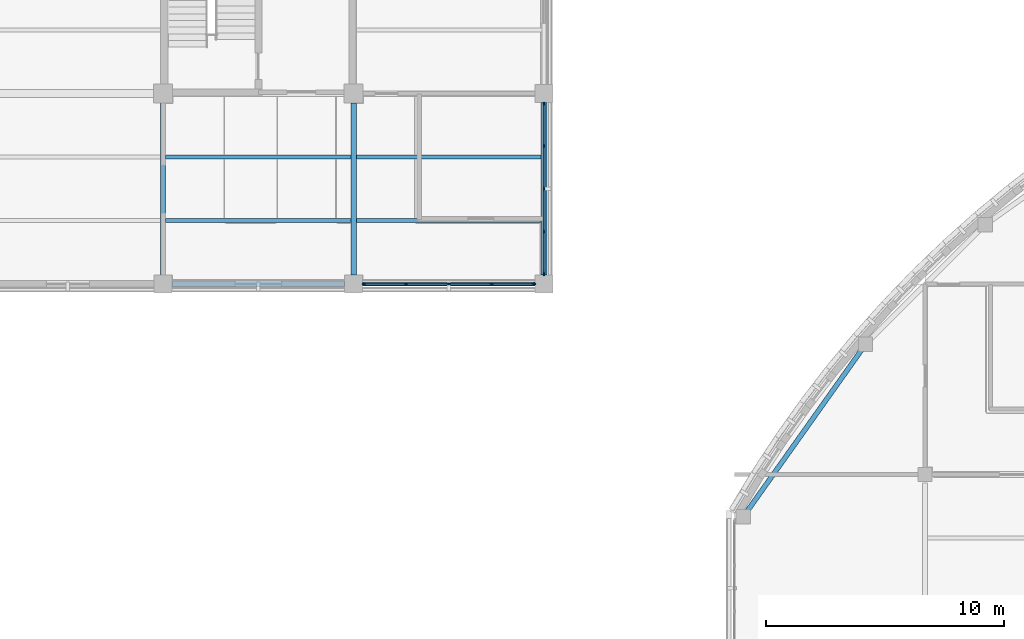
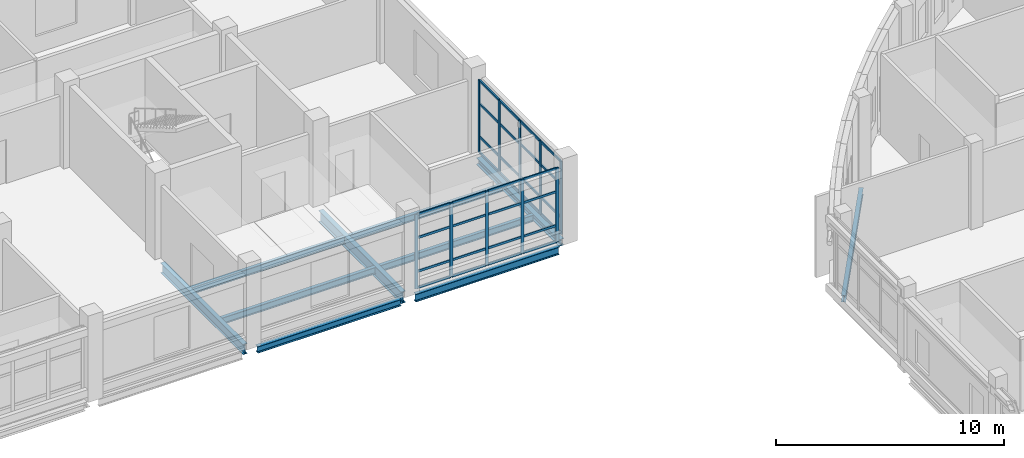
# One storey, part 34 of 121: 42 members, 10 beams, 2 elements without a shape of their own.
"""IFC4 building model written with IfcOpenShell, lengths in metres."""

from ifc_helpers import new_model, si_unit, derived_unit, direction, frame, origin, origin_2d, place, context, subcontext, project, spatial, rectangle, i_section, extrude, material, layer, layer_set, material_profile, profile_set, type_object, element, aggregate, save


model = new_model("IFC4")

# Units and contexts
model_context = context("Model", 3, precision=1e-05, world=origin(), true_north=direction((0.0, 1.0)))
body_context = subcontext(model_context, "Body", "Model", "MODEL_VIEW")
ifc_project = project(units=[si_unit("LENGTHUNIT", "METRE"), si_unit("AREAUNIT", "SQUARE_METRE"), si_unit("VOLUMEUNIT", "CUBIC_METRE"), si_unit("PLANEANGLEUNIT", "RADIAN"), si_unit("MASSUNIT", "GRAM", prefix="KILO"), derived_unit("THERMALTRANSMITTANCEUNIT", [(si_unit("MASSUNIT", "GRAM", prefix="KILO"), 1), (si_unit("TIMEUNIT", "SECOND"), -3), (si_unit("THERMODYNAMICTEMPERATUREUNIT", "KELVIN"), -1)])], contexts=[model_context])

# Site, building, storey
site_placement = place(None, origin())
site = spatial("IfcSite", under=ifc_project, at=site_placement, CompositionType="ELEMENT")
building_placement = place(site_placement, origin())
building = spatial("IfcBuilding", under=site, at=building_placement, Name="Veyamyaing Civic Hall", CompositionType="ELEMENT")
storey_placement = place(building_placement, frame((0.0, 0.0, 5.280029296875)))
storey = spatial("IfcBuildingStorey", under=building, at=storey_placement, Name="L01", CompositionType="ELEMENT", Elevation=5.280029296875)

# Beams
ifc_material_1 = material(Name="Steel ASTM A992", Category="steel")
ifc_material_profile_1 = material_profile(ifc_material_1, i_section(OverallWidth=0.22998046875, OverallDepth=0.616943359375, WebThickness=0.01318359375, FlangeThickness=0.022216796875, FilletRadius=0.012939453125, at=origin_2d()), Name="W610X140")
ifc_profile_set_1 = profile_set([ifc_material_profile_1], Name="Steel ASTM A992")
beam_type_1 = type_object("IfcBeamType", Name="B-05", PredefinedType="BEAM", material=ifc_profile_set_1)
beam_1_placement = place(storey_placement, frame((40.0, 88.375, -0.553466796875), z_axis=(0.0, 1.0, 0.0), x_axis=(-1.0, 0.0, 0.0)))
element("IfcBeam", 1, at=beam_1_placement, inside=storey, type_object=beam_type_1, Name="Girder B-05 L01 Grid 6 M-N", PredefinedType="BEAM", context=body_context, shape_type="SweptSolid", body=[
    extrude(i_section(OverallWidth=0.22998046875, OverallDepth=0.616943359375, WebThickness=0.01318359375, FlangeThickness=0.022216796875, FilletRadius=0.012939453125, at=origin_2d()), origin(), (0.0, 0.0, 1.0), 7.22509765625),
])
ifc_material_profile_2 = material_profile(ifc_material_1, i_section(OverallWidth=0.2041015625, OverallDepth=0.35009765625, WebThickness=0.0078125, FlangeThickness=0.01513671875, FilletRadius=0.010009765625, at=origin_2d()), Name="W360X72")
ifc_profile_set_2 = profile_set([ifc_material_profile_2], Name="Steel ASTM A992")
beam_type_2 = type_object("IfcBeamType", Name="B-11", PredefinedType="SPANDREL", material=ifc_profile_set_2)
beam_2_placement = place(storey_placement, frame((32.375, 88.0, -0.419921875), z_axis=(1.0, 0.0, 0.0), x_axis=(0.0, 1.0, 0.0)))
element("IfcBeam", 2, at=beam_2_placement, inside=storey, type_object=beam_type_2, Name="Girder B-11 L01 Grid M 5-6", PredefinedType="SPANDREL", context=body_context, shape_type="SweptSolid", body=[
    extrude(i_section(OverallWidth=0.2041015625, OverallDepth=0.35009765625, WebThickness=0.0078125, FlangeThickness=0.01513671875, FilletRadius=0.010009765625, at=origin_2d()), origin(), (0.0, 0.0, 1.0), 7.25),
])
beam_3_placement = place(storey_placement, frame((61.331298828125, 85.221923828125, -0.419921875), z_axis=(-0.578662285773, -0.815567262109, 0.0), x_axis=(0.815567262109, -0.578662285773, 0.0)))
element("IfcBeam", 3, at=beam_3_placement, inside=storey, type_object=beam_type_2, Name="Curved corner spandrel B-11 L01 NW.3", PredefinedType="SPANDREL", context=body_context, shape_type="SweptSolid", body=[
    extrude(i_section(OverallWidth=0.2041015625, OverallDepth=0.35009765625, WebThickness=0.0078125, FlangeThickness=0.01513671875, FilletRadius=0.010009765625, at=origin_2d()), origin(), (0.0, 0.0, 1.0), 8.284423828125),
])
ifc_material_profile_3 = material_profile(ifc_material_1, i_section(OverallWidth=0.214111328125, OverallDepth=0.549072265625, WebThickness=0.0146484375, FlangeThickness=0.023681640625, FilletRadius=0.011962890625, at=origin_2d()), Name="W530X138")
ifc_profile_set_3 = profile_set([ifc_material_profile_3], Name="Steel ASTM A992")
beam_type_3 = type_object("IfcBeamType", Name="B-16", PredefinedType="BEAM", material=ifc_profile_set_3)
beam_4_placement = place(storey_placement, frame((32.0, 88.375, -0.51953125), z_axis=(0.0, 1.0, 0.0), x_axis=(-1.0, 0.0, 0.0)))
element("IfcBeam", 4, at=beam_4_placement, inside=storey, type_object=beam_type_3, Name="Girder B-16 L01 Grid 5 M-N", PredefinedType="BEAM", context=body_context, shape_type="SweptSolid", body=[
    extrude(i_section(OverallWidth=0.214111328125, OverallDepth=0.549072265625, WebThickness=0.0146484375, FlangeThickness=0.023681640625, FilletRadius=0.011962890625, at=origin_2d()), origin(), (0.0, 0.0, 1.0), 7.22509765625),
])
ifc_material_profile_4 = material_profile(ifc_material_1, i_section(OverallWidth=0.180908203125, OverallDepth=0.4169921875, WebThickness=0.010986328125, FlangeThickness=0.018310546875, FilletRadius=0.010009765625, at=origin_2d()), Name="W410X85")
ifc_profile_set_4 = profile_set([ifc_material_profile_4], Name="Steel ASTM A992")
beam_type_4 = type_object("IfcBeamType", Name="B-19", PredefinedType="SPANDREL", material=ifc_profile_set_4)
beam_5_placement = place(storey_placement, frame((40.375, 88.0, -0.45361328125), z_axis=(1.0, 0.0, 0.0), x_axis=(0.0, 1.0, 0.0)))
element("IfcBeam", 5, at=beam_5_placement, inside=storey, type_object=beam_type_4, Name="Girder B-19 L01 Grid M 6-7", PredefinedType="SPANDREL", context=body_context, shape_type="SweptSolid", body=[
    extrude(i_section(OverallWidth=0.180908203125, OverallDepth=0.4169921875, WebThickness=0.010986328125, FlangeThickness=0.018310546875, FilletRadius=0.010009765625, at=origin_2d()), origin(), (0.0, 0.0, 1.0), 7.25),
])
ifc_material_profile_5 = material_profile(ifc_material_1, i_section(OverallWidth=0.25390625, OverallDepth=0.35302734375, WebThickness=0.009521484375, FlangeThickness=0.016357421875, FilletRadius=0.011962890625, at=origin_2d()), Name="W360X91")
ifc_profile_set_5 = profile_set([ifc_material_profile_5], Name="Steel ASTM A992")
beam_type_5 = type_object("IfcBeamType", Name="B-20", PredefinedType="SPANDREL", material=ifc_profile_set_5)
beam_6_placement = place(storey_placement, frame((48.0, 88.375, -0.421630859375), z_axis=(0.0, 1.0, 0.0), x_axis=(-1.0, 0.0, 0.0)))
element("IfcBeam", 6, at=beam_6_placement, inside=storey, type_object=beam_type_5, Name="Girder B-20 L01 Grid 7 M-N", PredefinedType="SPANDREL", context=body_context, shape_type="SweptSolid", body=[
    extrude(i_section(OverallWidth=0.25390625, OverallDepth=0.35302734375, WebThickness=0.009521484375, FlangeThickness=0.016357421875, FilletRadius=0.011962890625, at=origin_2d()), origin(), (0.0, 0.0, 1.0), 7.25),
])

# Curtain wall, members
ifc_material_2 = material(Name="Anodised aluminium 6063-T6", Category="aluminium")
ifc_layer = layer(ifc_material_2, 0.159912109375, Name="Anodised aluminium 6063-T6")
ifc_layer_set = layer_set([ifc_layer], Name="Anodised aluminium 6063-T6")
curtain_wall_type = type_object("IfcCurtainWallType", Name="CW-02", PredefinedType="NOTDEFINED", material=ifc_layer_set)
curtain_wall_1_placement = place(storey_placement, origin())
curtain_wall_1 = element("IfcCurtainWall", 7, at=curtain_wall_1_placement, inside=storey, type_object=curtain_wall_type, Name="Unitized curtain wall CW-02 L01 S 6.12", PredefinedType="NOTDEFINED")
ifc_material_profile_6 = material_profile(ifc_material_2, rectangle(XDim=0.06494140625, YDim=0.159912109375, at=origin_2d()), Name="ALU-MUL-65X160")
ifc_profile_set_6 = profile_set([ifc_material_profile_6], Name="Anodised aluminium 6063-T6")
member_type_1 = type_object("IfcMemberType", Name="CWM-01", PredefinedType="MULLION", material=ifc_profile_set_6)
member_1_placement = place(storey_placement, frame((40.4375, 88.0, 0.0), z_axis=(0.0, 0.0, 1.0), x_axis=(0.0, 1.0, 0.0)))
member_1 = element("IfcMember", 8, at=member_1_placement, type_object=member_type_1, Name="CW-02 mullion 1", PredefinedType="MULLION", context=body_context, shape_type="SweptSolid", body=[
    extrude(rectangle(XDim=0.06494140625, YDim=0.159912109375, at=origin_2d()), origin(), (0.0, 0.0, 1.0), 3.973876953125),
])
member_2_placement = place(storey_placement, frame((42.202392578125, 88.0, 0.0), z_axis=(0.0, 0.0, 1.0), x_axis=(0.0, 1.0, 0.0)))
member_2 = element("IfcMember", 9, at=member_2_placement, type_object=member_type_1, Name="CW-02 mullion 2", PredefinedType="MULLION", context=body_context, shape_type="SweptSolid", body=[
    extrude(rectangle(XDim=0.06494140625, YDim=0.159912109375, at=origin_2d()), origin(), (0.0, 0.0, 1.0), 3.973876953125),
])
member_3_placement = place(storey_placement, frame((44.0, 88.0, 0.0), z_axis=(0.0, 0.0, 1.0), x_axis=(0.0, 1.0, 0.0)))
member_3 = element("IfcMember", 10, at=member_3_placement, type_object=member_type_1, Name="CW-02 mullion 3", PredefinedType="MULLION", context=body_context, shape_type="SweptSolid", body=[
    extrude(rectangle(XDim=0.06494140625, YDim=0.159912109375, at=origin_2d()), origin(), (0.0, 0.0, 1.0), 3.973876953125),
])
member_4_placement = place(storey_placement, frame((45.797607421875, 88.0, 0.0), z_axis=(0.0, 0.0, 1.0), x_axis=(0.0, 1.0, 0.0)))
member_4 = element("IfcMember", 11, at=member_4_placement, type_object=member_type_1, Name="CW-02 mullion 4", PredefinedType="MULLION", context=body_context, shape_type="SweptSolid", body=[
    extrude(rectangle(XDim=0.06494140625, YDim=0.159912109375, at=origin_2d()), origin(), (0.0, 0.0, 1.0), 3.973876953125),
])
member_5_placement = place(storey_placement, frame((47.5625, 88.0, 0.0), z_axis=(0.0, 0.0, 1.0), x_axis=(0.0, 1.0, 0.0)))
member_5 = element("IfcMember", 12, at=member_5_placement, type_object=member_type_1, Name="CW-02 mullion 5", PredefinedType="MULLION", context=body_context, shape_type="SweptSolid", body=[
    extrude(rectangle(XDim=0.06494140625, YDim=0.159912109375, at=origin_2d()), origin(), (0.0, 0.0, 1.0), 3.973876953125),
])

curtain_wall_2_placement = place(storey_placement, origin())
curtain_wall_2 = element("IfcCurtainWall", 13, at=curtain_wall_2_placement, inside=storey, type_object=curtain_wall_type, Name="Unitized curtain wall CW-02 L01 E 6.12", PredefinedType="NOTDEFINED")
member_6_placement = place(storey_placement, frame((48.0, 88.4375, 0.0), z_axis=(0.0, 0.0, 1.0), x_axis=(-1.0, 0.0, 0.0)))
member_6 = element("IfcMember", 14, at=member_6_placement, type_object=member_type_1, Name="CW-02 mullion 1", PredefinedType="MULLION", context=body_context, shape_type="SweptSolid", body=[
    extrude(rectangle(XDim=0.06494140625, YDim=0.159912109375, at=origin_2d()), origin(), (0.0, 0.0, 1.0), 3.9140625),
])
member_7_placement = place(storey_placement, frame((48.0, 90.202392578125, 0.0), z_axis=(0.0, 0.0, 1.0), x_axis=(-1.0, 0.0, 0.0)))
member_7 = element("IfcMember", 15, at=member_7_placement, type_object=member_type_1, Name="CW-02 mullion 2", PredefinedType="MULLION", context=body_context, shape_type="SweptSolid", body=[
    extrude(rectangle(XDim=0.06494140625, YDim=0.159912109375, at=origin_2d()), origin(), (0.0, 0.0, 1.0), 3.9140625),
])
member_8_placement = place(storey_placement, frame((48.0, 92.0, 0.0), z_axis=(0.0, 0.0, 1.0), x_axis=(-1.0, 0.0, 0.0)))
member_8 = element("IfcMember", 16, at=member_8_placement, type_object=member_type_1, Name="CW-02 mullion 3", PredefinedType="MULLION", context=body_context, shape_type="SweptSolid", body=[
    extrude(rectangle(XDim=0.06494140625, YDim=0.159912109375, at=origin_2d()), origin(), (0.0, 0.0, 1.0), 3.9140625),
])
member_9_placement = place(storey_placement, frame((48.0, 93.797607421875, 0.0), z_axis=(0.0, 0.0, 1.0), x_axis=(-1.0, 0.0, 0.0)))
member_9 = element("IfcMember", 17, at=member_9_placement, type_object=member_type_1, Name="CW-02 mullion 4", PredefinedType="MULLION", context=body_context, shape_type="SweptSolid", body=[
    extrude(rectangle(XDim=0.06494140625, YDim=0.159912109375, at=origin_2d()), origin(), (0.0, 0.0, 1.0), 3.9140625),
])
member_10_placement = place(storey_placement, frame((48.0, 95.5625, 0.0), z_axis=(0.0, 0.0, 1.0), x_axis=(-1.0, 0.0, 0.0)))
member_10 = element("IfcMember", 18, at=member_10_placement, type_object=member_type_1, Name="CW-02 mullion 5", PredefinedType="MULLION", context=body_context, shape_type="SweptSolid", body=[
    extrude(rectangle(XDim=0.06494140625, YDim=0.159912109375, at=origin_2d()), origin(), (0.0, 0.0, 1.0), 3.9140625),
])

# Member
ifc_material_profile_7 = material_profile(ifc_material_2, rectangle(XDim=0.06494140625, YDim=0.1201171875, at=origin_2d()), Name="ALU-TRN-65X120")
ifc_profile_set_7 = profile_set([ifc_material_profile_7], Name="Anodised aluminium 6063-T6")
member_type_2 = type_object("IfcMemberType", Name="CWT-01", PredefinedType="USERDEFINED", material=ifc_profile_set_7)
member_11_placement = place(storey_placement, frame((40.469970703125, 88.0, 0.032470703125), z_axis=(1.0, 0.0, 0.0), x_axis=(0.0, 1.0, 0.0)))
member_11 = element("IfcMember", 19, at=member_11_placement, type_object=member_type_2, Name="CW-02 transom 1.1", ObjectType="TRANSOM", PredefinedType="USERDEFINED", context=body_context, shape_type="SweptSolid", body=[
    extrude(rectangle(XDim=0.06494140625, YDim=0.1201171875, at=origin_2d()), origin(), (0.0, 0.0, 1.0), 1.699951171875),
])

member_12_placement = place(storey_placement, frame((40.469970703125, 88.0, 0.89990234375), z_axis=(1.0, 0.0, 0.0), x_axis=(0.0, 1.0, 0.0)))
member_12 = element("IfcMember", 20, at=member_12_placement, type_object=member_type_2, Name="CW-02 transom 1.2", ObjectType="TRANSOM", PredefinedType="USERDEFINED", context=body_context, shape_type="SweptSolid", body=[
    extrude(rectangle(XDim=0.06494140625, YDim=0.1201171875, at=origin_2d()), origin(), (0.0, 0.0, 1.0), 1.699951171875),
])

member_13_placement = place(storey_placement, frame((40.469970703125, 88.0, 2.702392578125), z_axis=(1.0, 0.0, 0.0), x_axis=(0.0, 1.0, 0.0)))
member_13 = element("IfcMember", 21, at=member_13_placement, type_object=member_type_2, Name="CW-02 transom 1.3", ObjectType="TRANSOM", PredefinedType="USERDEFINED", context=body_context, shape_type="SweptSolid", body=[
    extrude(rectangle(XDim=0.06494140625, YDim=0.1201171875, at=origin_2d()), origin(), (0.0, 0.0, 1.0), 1.699951171875),
])

member_14_placement = place(storey_placement, frame((40.469970703125, 88.0, 3.94140625), z_axis=(1.0, 0.0, 0.0), x_axis=(0.0, 1.0, 0.0)))
member_14 = element("IfcMember", 22, at=member_14_placement, type_object=member_type_2, Name="CW-02 transom 1.4", ObjectType="TRANSOM", PredefinedType="USERDEFINED", context=body_context, shape_type="SweptSolid", body=[
    extrude(rectangle(XDim=0.06494140625, YDim=0.1201171875, at=origin_2d()), origin(), (0.0, 0.0, 1.0), 1.699951171875),
])

member_15_placement = place(storey_placement, frame((42.235107421875, 88.0, 0.032470703125), z_axis=(1.0, 0.0, 0.0), x_axis=(0.0, 1.0, 0.0)))
member_15 = element("IfcMember", 23, at=member_15_placement, type_object=member_type_2, Name="CW-02 transom 2.1", ObjectType="TRANSOM", PredefinedType="USERDEFINED", context=body_context, shape_type="SweptSolid", body=[
    extrude(rectangle(XDim=0.06494140625, YDim=0.1201171875, at=origin_2d()), origin(), (0.0, 0.0, 1.0), 1.732421875),
])

member_16_placement = place(storey_placement, frame((42.235107421875, 88.0, 0.89990234375), z_axis=(1.0, 0.0, 0.0), x_axis=(0.0, 1.0, 0.0)))
member_16 = element("IfcMember", 24, at=member_16_placement, type_object=member_type_2, Name="CW-02 transom 2.2", ObjectType="TRANSOM", PredefinedType="USERDEFINED", context=body_context, shape_type="SweptSolid", body=[
    extrude(rectangle(XDim=0.06494140625, YDim=0.1201171875, at=origin_2d()), origin(), (0.0, 0.0, 1.0), 1.732421875),
])

member_17_placement = place(storey_placement, frame((42.235107421875, 88.0, 2.702392578125), z_axis=(1.0, 0.0, 0.0), x_axis=(0.0, 1.0, 0.0)))
member_17 = element("IfcMember", 25, at=member_17_placement, type_object=member_type_2, Name="CW-02 transom 2.3", ObjectType="TRANSOM", PredefinedType="USERDEFINED", context=body_context, shape_type="SweptSolid", body=[
    extrude(rectangle(XDim=0.06494140625, YDim=0.1201171875, at=origin_2d()), origin(), (0.0, 0.0, 1.0), 1.732421875),
])

member_18_placement = place(storey_placement, frame((42.235107421875, 88.0, 3.94140625), z_axis=(1.0, 0.0, 0.0), x_axis=(0.0, 1.0, 0.0)))
member_18 = element("IfcMember", 26, at=member_18_placement, type_object=member_type_2, Name="CW-02 transom 2.4", ObjectType="TRANSOM", PredefinedType="USERDEFINED", context=body_context, shape_type="SweptSolid", body=[
    extrude(rectangle(XDim=0.06494140625, YDim=0.1201171875, at=origin_2d()), origin(), (0.0, 0.0, 1.0), 1.732421875),
])

member_19_placement = place(storey_placement, frame((44.032470703125, 88.0, 0.032470703125), z_axis=(1.0, 0.0, 0.0), x_axis=(0.0, 1.0, 0.0)))
member_19 = element("IfcMember", 27, at=member_19_placement, type_object=member_type_2, Name="CW-02 transom 3.1", ObjectType="TRANSOM", PredefinedType="USERDEFINED", context=body_context, shape_type="SweptSolid", body=[
    extrude(rectangle(XDim=0.06494140625, YDim=0.1201171875, at=origin_2d()), origin(), (0.0, 0.0, 1.0), 1.732421875),
])

member_20_placement = place(storey_placement, frame((44.032470703125, 88.0, 0.89990234375), z_axis=(1.0, 0.0, 0.0), x_axis=(0.0, 1.0, 0.0)))
member_20 = element("IfcMember", 28, at=member_20_placement, type_object=member_type_2, Name="CW-02 transom 3.2", ObjectType="TRANSOM", PredefinedType="USERDEFINED", context=body_context, shape_type="SweptSolid", body=[
    extrude(rectangle(XDim=0.06494140625, YDim=0.1201171875, at=origin_2d()), origin(), (0.0, 0.0, 1.0), 1.732421875),
])

member_21_placement = place(storey_placement, frame((44.032470703125, 88.0, 2.702392578125), z_axis=(1.0, 0.0, 0.0), x_axis=(0.0, 1.0, 0.0)))
member_21 = element("IfcMember", 29, at=member_21_placement, type_object=member_type_2, Name="CW-02 transom 3.3", ObjectType="TRANSOM", PredefinedType="USERDEFINED", context=body_context, shape_type="SweptSolid", body=[
    extrude(rectangle(XDim=0.06494140625, YDim=0.1201171875, at=origin_2d()), origin(), (0.0, 0.0, 1.0), 1.732421875),
])

member_22_placement = place(storey_placement, frame((44.032470703125, 88.0, 3.94140625), z_axis=(1.0, 0.0, 0.0), x_axis=(0.0, 1.0, 0.0)))
member_22 = element("IfcMember", 30, at=member_22_placement, type_object=member_type_2, Name="CW-02 transom 3.4", ObjectType="TRANSOM", PredefinedType="USERDEFINED", context=body_context, shape_type="SweptSolid", body=[
    extrude(rectangle(XDim=0.06494140625, YDim=0.1201171875, at=origin_2d()), origin(), (0.0, 0.0, 1.0), 1.732421875),
])

member_23_placement = place(storey_placement, frame((45.830078125, 88.0, 0.032470703125), z_axis=(1.0, 0.0, 0.0), x_axis=(0.0, 1.0, 0.0)))
member_23 = element("IfcMember", 31, at=member_23_placement, type_object=member_type_2, Name="CW-02 transom 4.1", ObjectType="TRANSOM", PredefinedType="USERDEFINED", context=body_context, shape_type="SweptSolid", body=[
    extrude(rectangle(XDim=0.06494140625, YDim=0.1201171875, at=origin_2d()), origin(), (0.0, 0.0, 1.0), 1.699951171875),
])

member_24_placement = place(storey_placement, frame((45.830078125, 88.0, 0.89990234375), z_axis=(1.0, 0.0, 0.0), x_axis=(0.0, 1.0, 0.0)))
member_24 = element("IfcMember", 32, at=member_24_placement, type_object=member_type_2, Name="CW-02 transom 4.2", ObjectType="TRANSOM", PredefinedType="USERDEFINED", context=body_context, shape_type="SweptSolid", body=[
    extrude(rectangle(XDim=0.06494140625, YDim=0.1201171875, at=origin_2d()), origin(), (0.0, 0.0, 1.0), 1.699951171875),
])

member_25_placement = place(storey_placement, frame((45.830078125, 88.0, 2.702392578125), z_axis=(1.0, 0.0, 0.0), x_axis=(0.0, 1.0, 0.0)))
member_25 = element("IfcMember", 33, at=member_25_placement, type_object=member_type_2, Name="CW-02 transom 4.3", ObjectType="TRANSOM", PredefinedType="USERDEFINED", context=body_context, shape_type="SweptSolid", body=[
    extrude(rectangle(XDim=0.06494140625, YDim=0.1201171875, at=origin_2d()), origin(), (0.0, 0.0, 1.0), 1.699951171875),
])

member_26_placement = place(storey_placement, frame((45.830078125, 88.0, 3.94140625), z_axis=(1.0, 0.0, 0.0), x_axis=(0.0, 1.0, 0.0)))
member_26 = element("IfcMember", 34, at=member_26_placement, type_object=member_type_2, Name="CW-02 transom 4.4", ObjectType="TRANSOM", PredefinedType="USERDEFINED", context=body_context, shape_type="SweptSolid", body=[
    extrude(rectangle(XDim=0.06494140625, YDim=0.1201171875, at=origin_2d()), origin(), (0.0, 0.0, 1.0), 1.699951171875),
])

aggregate(curtain_wall_1, [member_1, member_2, member_3, member_4, member_5, member_11, member_12, member_13, member_14, member_15, member_16, member_17, member_18, member_19, member_20, member_21, member_22, member_23, member_24, member_25, member_26])

member_27_placement = place(storey_placement, frame((48.0, 88.469970703125, 0.032470703125), z_axis=(0.0, 1.0, 0.0), x_axis=(-1.0, 0.0, 0.0)))
member_27 = element("IfcMember", 35, at=member_27_placement, type_object=member_type_2, Name="CW-02 transom 1.1", ObjectType="TRANSOM", PredefinedType="USERDEFINED", context=body_context, shape_type="SweptSolid", body=[
    extrude(rectangle(XDim=0.06494140625, YDim=0.1201171875, at=origin_2d()), origin(), (0.0, 0.0, 1.0), 1.699951171875),
])

member_28_placement = place(storey_placement, frame((48.0, 88.469970703125, 0.89990234375), z_axis=(0.0, 1.0, 0.0), x_axis=(-1.0, 0.0, 0.0)))
member_28 = element("IfcMember", 36, at=member_28_placement, type_object=member_type_2, Name="CW-02 transom 1.2", ObjectType="TRANSOM", PredefinedType="USERDEFINED", context=body_context, shape_type="SweptSolid", body=[
    extrude(rectangle(XDim=0.06494140625, YDim=0.1201171875, at=origin_2d()), origin(), (0.0, 0.0, 1.0), 1.699951171875),
])

member_29_placement = place(storey_placement, frame((48.0, 88.469970703125, 2.661376953125), z_axis=(0.0, 1.0, 0.0), x_axis=(-1.0, 0.0, 0.0)))
member_29 = element("IfcMember", 37, at=member_29_placement, type_object=member_type_2, Name="CW-02 transom 1.3", ObjectType="TRANSOM", PredefinedType="USERDEFINED", context=body_context, shape_type="SweptSolid", body=[
    extrude(rectangle(XDim=0.06494140625, YDim=0.1201171875, at=origin_2d()), origin(), (0.0, 0.0, 1.0), 1.699951171875),
])

member_30_placement = place(storey_placement, frame((48.0, 88.469970703125, 3.881591796875), z_axis=(0.0, 1.0, 0.0), x_axis=(-1.0, 0.0, 0.0)))
member_30 = element("IfcMember", 38, at=member_30_placement, type_object=member_type_2, Name="CW-02 transom 1.4", ObjectType="TRANSOM", PredefinedType="USERDEFINED", context=body_context, shape_type="SweptSolid", body=[
    extrude(rectangle(XDim=0.06494140625, YDim=0.1201171875, at=origin_2d()), origin(), (0.0, 0.0, 1.0), 1.699951171875),
])

member_31_placement = place(storey_placement, frame((48.0, 90.235107421875, 0.032470703125), z_axis=(0.0, 1.0, 0.0), x_axis=(-1.0, 0.0, 0.0)))
member_31 = element("IfcMember", 39, at=member_31_placement, type_object=member_type_2, Name="CW-02 transom 2.1", ObjectType="TRANSOM", PredefinedType="USERDEFINED", context=body_context, shape_type="SweptSolid", body=[
    extrude(rectangle(XDim=0.06494140625, YDim=0.1201171875, at=origin_2d()), origin(), (0.0, 0.0, 1.0), 1.732421875),
])

member_32_placement = place(storey_placement, frame((48.0, 90.235107421875, 0.89990234375), z_axis=(0.0, 1.0, 0.0), x_axis=(-1.0, 0.0, 0.0)))
member_32 = element("IfcMember", 40, at=member_32_placement, type_object=member_type_2, Name="CW-02 transom 2.2", ObjectType="TRANSOM", PredefinedType="USERDEFINED", context=body_context, shape_type="SweptSolid", body=[
    extrude(rectangle(XDim=0.06494140625, YDim=0.1201171875, at=origin_2d()), origin(), (0.0, 0.0, 1.0), 1.732421875),
])

member_33_placement = place(storey_placement, frame((48.0, 90.235107421875, 2.661376953125), z_axis=(0.0, 1.0, 0.0), x_axis=(-1.0, 0.0, 0.0)))
member_33 = element("IfcMember", 41, at=member_33_placement, type_object=member_type_2, Name="CW-02 transom 2.3", ObjectType="TRANSOM", PredefinedType="USERDEFINED", context=body_context, shape_type="SweptSolid", body=[
    extrude(rectangle(XDim=0.06494140625, YDim=0.1201171875, at=origin_2d()), origin(), (0.0, 0.0, 1.0), 1.732421875),
])

member_34_placement = place(storey_placement, frame((48.0, 90.235107421875, 3.881591796875), z_axis=(0.0, 1.0, 0.0), x_axis=(-1.0, 0.0, 0.0)))
member_34 = element("IfcMember", 42, at=member_34_placement, type_object=member_type_2, Name="CW-02 transom 2.4", ObjectType="TRANSOM", PredefinedType="USERDEFINED", context=body_context, shape_type="SweptSolid", body=[
    extrude(rectangle(XDim=0.06494140625, YDim=0.1201171875, at=origin_2d()), origin(), (0.0, 0.0, 1.0), 1.732421875),
])

member_35_placement = place(storey_placement, frame((48.0, 92.032470703125, 0.032470703125), z_axis=(0.0, 1.0, 0.0), x_axis=(-1.0, 0.0, 0.0)))
member_35 = element("IfcMember", 43, at=member_35_placement, type_object=member_type_2, Name="CW-02 transom 3.1", ObjectType="TRANSOM", PredefinedType="USERDEFINED", context=body_context, shape_type="SweptSolid", body=[
    extrude(rectangle(XDim=0.06494140625, YDim=0.1201171875, at=origin_2d()), origin(), (0.0, 0.0, 1.0), 1.732421875),
])

member_36_placement = place(storey_placement, frame((48.0, 92.032470703125, 0.89990234375), z_axis=(0.0, 1.0, 0.0), x_axis=(-1.0, 0.0, 0.0)))
member_36 = element("IfcMember", 44, at=member_36_placement, type_object=member_type_2, Name="CW-02 transom 3.2", ObjectType="TRANSOM", PredefinedType="USERDEFINED", context=body_context, shape_type="SweptSolid", body=[
    extrude(rectangle(XDim=0.06494140625, YDim=0.1201171875, at=origin_2d()), origin(), (0.0, 0.0, 1.0), 1.732421875),
])

member_37_placement = place(storey_placement, frame((48.0, 92.032470703125, 2.661376953125), z_axis=(0.0, 1.0, 0.0), x_axis=(-1.0, 0.0, 0.0)))
member_37 = element("IfcMember", 45, at=member_37_placement, type_object=member_type_2, Name="CW-02 transom 3.3", ObjectType="TRANSOM", PredefinedType="USERDEFINED", context=body_context, shape_type="SweptSolid", body=[
    extrude(rectangle(XDim=0.06494140625, YDim=0.1201171875, at=origin_2d()), origin(), (0.0, 0.0, 1.0), 1.732421875),
])

member_38_placement = place(storey_placement, frame((48.0, 92.032470703125, 3.881591796875), z_axis=(0.0, 1.0, 0.0), x_axis=(-1.0, 0.0, 0.0)))
member_38 = element("IfcMember", 46, at=member_38_placement, type_object=member_type_2, Name="CW-02 transom 3.4", ObjectType="TRANSOM", PredefinedType="USERDEFINED", context=body_context, shape_type="SweptSolid", body=[
    extrude(rectangle(XDim=0.06494140625, YDim=0.1201171875, at=origin_2d()), origin(), (0.0, 0.0, 1.0), 1.732421875),
])

member_39_placement = place(storey_placement, frame((48.0, 93.830078125, 0.032470703125), z_axis=(0.0, 1.0, 0.0), x_axis=(-1.0, 0.0, 0.0)))
member_39 = element("IfcMember", 47, at=member_39_placement, type_object=member_type_2, Name="CW-02 transom 4.1", ObjectType="TRANSOM", PredefinedType="USERDEFINED", context=body_context, shape_type="SweptSolid", body=[
    extrude(rectangle(XDim=0.06494140625, YDim=0.1201171875, at=origin_2d()), origin(), (0.0, 0.0, 1.0), 1.699951171875),
])

member_40_placement = place(storey_placement, frame((48.0, 93.830078125, 0.89990234375), z_axis=(0.0, 1.0, 0.0), x_axis=(-1.0, 0.0, 0.0)))
member_40 = element("IfcMember", 48, at=member_40_placement, type_object=member_type_2, Name="CW-02 transom 4.2", ObjectType="TRANSOM", PredefinedType="USERDEFINED", context=body_context, shape_type="SweptSolid", body=[
    extrude(rectangle(XDim=0.06494140625, YDim=0.1201171875, at=origin_2d()), origin(), (0.0, 0.0, 1.0), 1.699951171875),
])

member_41_placement = place(storey_placement, frame((48.0, 93.830078125, 2.661376953125), z_axis=(0.0, 1.0, 0.0), x_axis=(-1.0, 0.0, 0.0)))
member_41 = element("IfcMember", 49, at=member_41_placement, type_object=member_type_2, Name="CW-02 transom 4.3", ObjectType="TRANSOM", PredefinedType="USERDEFINED", context=body_context, shape_type="SweptSolid", body=[
    extrude(rectangle(XDim=0.06494140625, YDim=0.1201171875, at=origin_2d()), origin(), (0.0, 0.0, 1.0), 1.699951171875),
])

member_42_placement = place(storey_placement, frame((48.0, 93.830078125, 3.881591796875), z_axis=(0.0, 1.0, 0.0), x_axis=(-1.0, 0.0, 0.0)))
member_42 = element("IfcMember", 50, at=member_42_placement, type_object=member_type_2, Name="CW-02 transom 4.4", ObjectType="TRANSOM", PredefinedType="USERDEFINED", context=body_context, shape_type="SweptSolid", body=[
    extrude(rectangle(XDim=0.06494140625, YDim=0.1201171875, at=origin_2d()), origin(), (0.0, 0.0, 1.0), 1.699951171875),
])

aggregate(curtain_wall_2, [member_6, member_7, member_8, member_9, member_10, member_27, member_28, member_29, member_30, member_31, member_32, member_33, member_34, member_35, member_36, member_37, member_38, member_39, member_40, member_41, member_42])

# Beams
ifc_material_profile_8 = material_profile(ifc_material_1, i_section(OverallWidth=0.172119140625, OverallDepth=0.35791015625, WebThickness=0.0078125, FlangeThickness=0.01318359375, FilletRadius=0.010009765625, at=origin_2d()), Name="W360X57")
ifc_profile_set_8 = profile_set([ifc_material_profile_8], Name="Steel ASTM A992")
beam_type_6 = type_object("IfcBeamType", Name="J-02", PredefinedType="JOIST", material=ifc_profile_set_8)
for number, where, z_axis, x_axis, name in (
    (51, (32.10498046875, 90.666748046875, -0.424072265625), (1.0, 0.0, 0.0), (0.0, 1.0, 0.0), "Composite floor joist J-02 L01 5.12.1"),
    (52, (32.10498046875, 93.333251953125, -0.424072265625), (1.0, 0.0, 0.0), (0.0, 1.0, 0.0), "Composite floor joist J-02 L01 5.12.2"),
):
    element("IfcBeam", number, at=place(storey_placement, frame(where, z_axis=z_axis, x_axis=x_axis)), inside=storey, type_object=beam_type_6, Name=name, PredefinedType="JOIST", context=body_context, shape_type="SweptSolid", body=[
        extrude(i_section(OverallWidth=0.172119140625, OverallDepth=0.35791015625, WebThickness=0.0078125, FlangeThickness=0.01318359375, FilletRadius=0.010009765625, at=origin_2d()), origin(), (0.0, 0.0, 1.0), 7.781982421875),
    ])
ifc_material_profile_9 = material_profile(ifc_material_1, i_section(OverallWidth=0.1708984375, OverallDepth=0.35205078125, WebThickness=0.0068359375, FlangeThickness=0.009765625, FilletRadius=0.010009765625, at=origin_2d()), Name="W360X44")
ifc_profile_set_9 = profile_set([ifc_material_profile_9], Name="Steel ASTM A992")
beam_type_7 = type_object("IfcBeamType", Name="J-03", PredefinedType="JOIST", material=ifc_profile_set_9)
for number, where, z_axis, x_axis, name in (
    (53, (40.113037109375, 90.666748046875, -0.421142578125), (1.0, 0.0, 0.0), (0.0, 1.0, 0.0), "Composite floor joist J-03 L01 6.12.1"),
    (54, (40.113037109375, 93.333251953125, -0.421142578125), (1.0, 0.0, 0.0), (0.0, 1.0, 0.0), "Composite floor joist J-03 L01 6.12.2"),
):
    element("IfcBeam", number, at=place(storey_placement, frame(where, z_axis=z_axis, x_axis=x_axis)), inside=storey, type_object=beam_type_7, Name=name, PredefinedType="JOIST", context=body_context, shape_type="SweptSolid", body=[
        extrude(i_section(OverallWidth=0.1708984375, OverallDepth=0.35205078125, WebThickness=0.0068359375, FlangeThickness=0.009765625, FilletRadius=0.010009765625, at=origin_2d()), origin(), (0.0, 0.0, 1.0), 7.761962890625),
    ])

save(model, "model.ifc")
